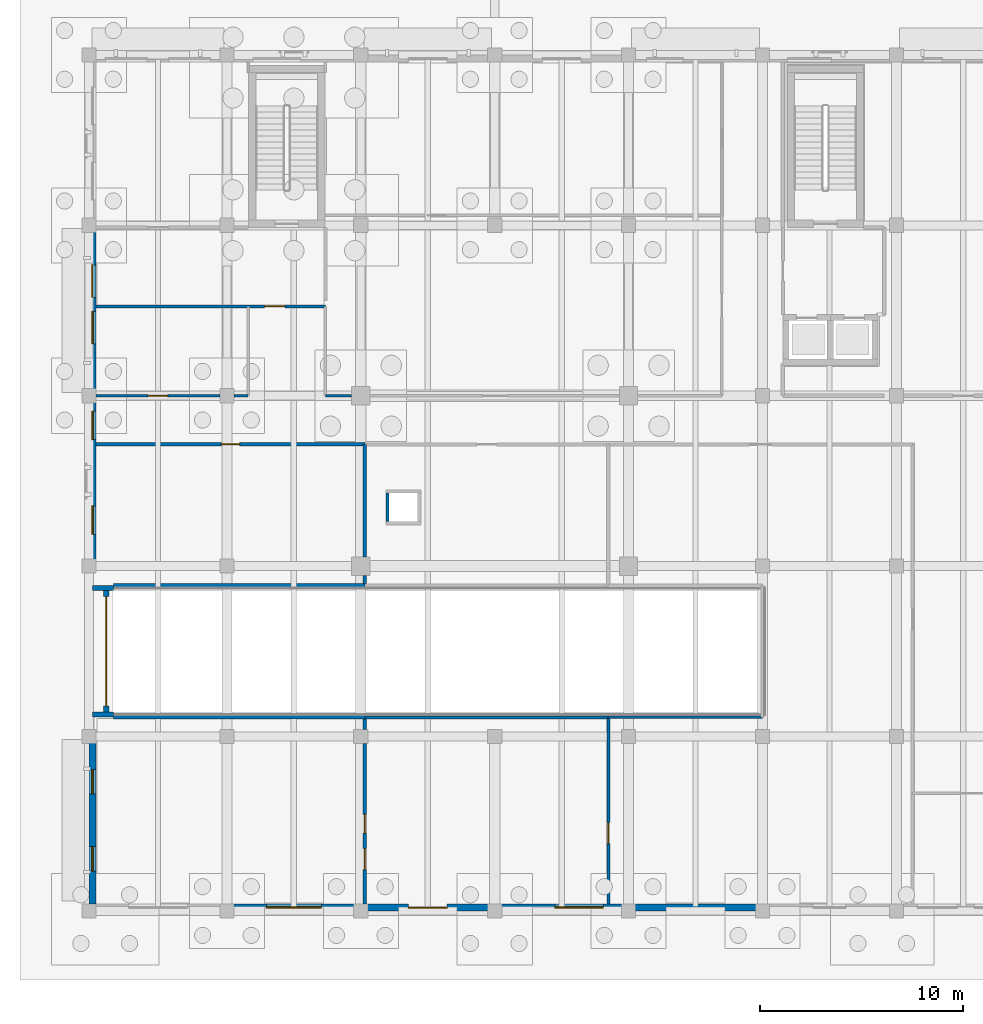
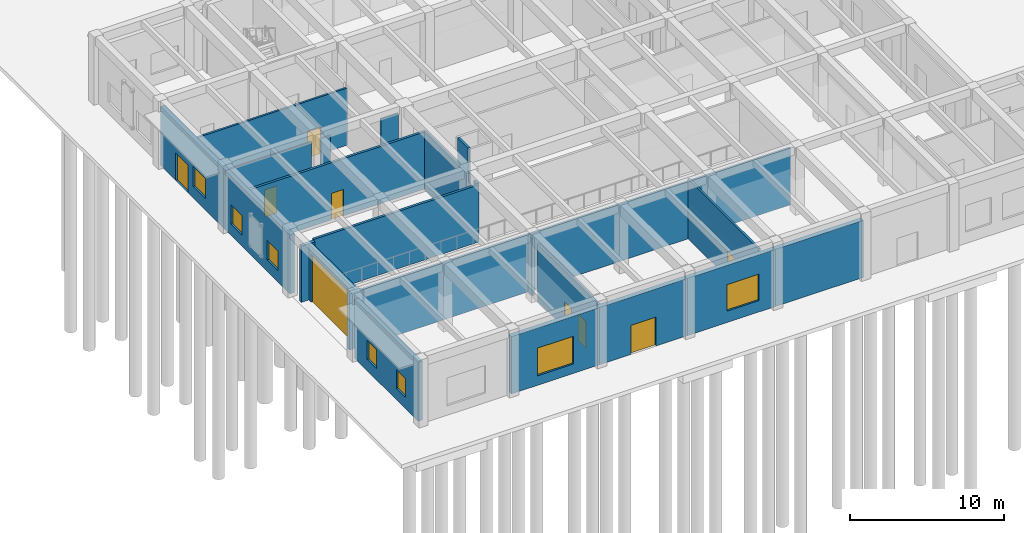
# One storey, part 48 of 82: 25 walls, 9 doors, 7 windows, 16 openings.
"""IFC4 building model written with IfcOpenShell, lengths in metres."""

from ifc_helpers import new_model, si_unit, direction, frame, frame_2d, origin, place, context, subcontext, project, spatial, rectangle, extrude, material, layer, layer_set, type_object, element, fill, save


model = new_model("IFC4")

# Units and contexts
model_context = context("Model", 3, precision=1e-05, world=origin(), true_north=direction((0.0, 1.0)))
body_context = subcontext(model_context, "Body", "Model", "MODEL_VIEW")
ifc_project = project(units=[si_unit("LENGTHUNIT", "METRE"), si_unit("AREAUNIT", "SQUARE_METRE"), si_unit("VOLUMEUNIT", "CUBIC_METRE"), si_unit("PLANEANGLEUNIT", "RADIAN"), si_unit("MASSUNIT", "GRAM", prefix="KILO")], contexts=[model_context])

# Site, building, storey
site_placement = place(None, origin())
site = spatial("IfcSite", under=ifc_project, at=site_placement, CompositionType="ELEMENT")
building_placement = place(site_placement, origin())
building = spatial("IfcBuilding", under=site, at=building_placement, Name="Kolvaren Faculty of Natural Sciences", CompositionType="ELEMENT")
storey_placement = place(building_placement, origin())
storey = spatial("IfcBuildingStorey", under=building, at=storey_placement, Name="L00", CompositionType="ELEMENT", Elevation=0.0)

# Walls
ifc_material_1 = material(Name="Acoustic mineral-wool insulated gypsum partition")
ifc_layer_1 = layer(ifc_material_1, 0.139892578125)
ifc_layer_set_1 = layer_set([ifc_layer_1], Name="Acoustic mineral-wool insulated gypsum partition")
wall_type_1 = type_object("IfcWallType", Name="CommonsPartitionWall_140", PredefinedType="PARTITIONING", material=ifc_layer_set_1)
wall_1_placement = place(storey_placement, frame((25.60009765625, 9.550048828125, 0.0), z_axis=(0.0, 0.0, 1.0), x_axis=(1.0, 0.0, 0.0)))
element("IfcWall", 1, at=wall_1_placement, inside=storey, type_object=wall_type_1, Name="L00 interior partition PW-140", PredefinedType="PARTITIONING", context=body_context, shape_type="SweptSolid", body=[
    extrude(rectangle(XDim=7.599853515625, YDim=0.139892578125, at=frame_2d((3.7998046875, 0.0))), origin(), (0.0, 0.0, 1.0), 4.534912109375),
])
ifc_layer_2 = layer(ifc_material_1, 0.14501953125)
ifc_layer_set_2 = layer_set([ifc_layer_2], Name="Acoustic mineral-wool insulated gypsum partition")
wall_type_2 = type_object("IfcWallType", Name="CommonsPartitionWall_145", PredefinedType="PARTITIONING", material=ifc_layer_set_2)
wall_2_placement = place(storey_placement, frame((13.60009765625, 9.550048828125, 0.0), z_axis=(0.0, 0.0, 1.0), x_axis=(1.0, 0.0, 0.0)))
element("IfcWall", 2, at=wall_2_placement, inside=storey, type_object=wall_type_2, Name="L00 interior partition PW-145", PredefinedType="PARTITIONING", context=body_context, shape_type="SweptSolid", body=[
    extrude(rectangle(XDim=12.0, YDim=0.14501953125, at=frame_2d((6.0, 0.0))), origin(), (0.0, 0.0, 1.0), 4.534912109375),
])

# Wall, opening, door
wall_3_placement = place(storey_placement, frame((25.60009765625, 9.550048828125, 0.0), z_axis=(0.0, 0.0, 1.0), x_axis=(0.0, -1.0, 0.0)))
wall_3 = element("IfcWall", 3, at=wall_3_placement, inside=storey, type_object=wall_type_2, Name="L00 interior partition PW-145", PredefinedType="PARTITIONING", context=body_context, shape_type="SweptSolid", body=[
    extrude(rectangle(XDim=9.2080078125, YDim=0.14501953125, at=frame_2d((4.60400390625, 0.0))), origin(), (0.0, 0.0, 1.0), 4.735107421875),
])
opening_1_placement = place(wall_3_placement, frame((5.194091796875, 0.0, 0.0)))
opening_1 = element("IfcOpeningElement", 4, at=opening_1_placement, cuts=wall_3, Name="Opening ID-15", PredefinedType="OPENING", context=body_context, shape_type="SweptSolid", body=[
    extrude(rectangle(XDim=1.030029296875, YDim=2.10009765625, at=frame_2d((0.51513671875, 1.050048828125))), frame((0.0, 0.08251953125, 0.0), z_axis=(0.0, -1.0, 0.0), x_axis=(1.0, 0.0, 0.0)), (0.0, 0.0, 1.0), 0.1650390625),
])
ifc_material_2 = material(Name="Solid-core hardwood veneer door leaf in steel frame", Category="steel")
door_type_1 = type_object("IfcDoorType", Name="InteriorRoomDoor_1030x2100", OperationType="NOTDEFINED", PredefinedType="DOOR", material=ifc_material_2)
door_1_placement = place(opening_1_placement, origin())
door_1 = element("IfcDoor", 5, at=door_1_placement, inside=storey, type_object=door_type_1, Name="D-L00-0070", OperationType="SINGLE_SWING_RIGHT", OverallHeight=2.10009765625, OverallWidth=1.030029296875, PredefinedType="DOOR", context=body_context, shape_type="SweptSolid", body=[
    extrude(rectangle(XDim=1.030029296875, YDim=2.10009765625, at=frame_2d((0.51513671875, 1.050048828125))), frame((0.0, 0.02490234375, 0.0), z_axis=(0.0, -1.0, 0.0), x_axis=(1.0, 0.0, 0.0)), (0.0, 0.0, 1.0), 0.050048828125),
])
fill(opening_1, door_1)

# Wall
ifc_material_3 = material(Name="Sandstone-faced insulated cavity masonry", Category="masonry")
ifc_layer_3 = layer(ifc_material_3, 0.340087890625)
ifc_layer_set_3 = layer_set([ifc_layer_3], Name="Sandstone-faced insulated cavity masonry")
wall_type_3 = type_object("IfcWallType", Name="ExteriorCavityWall_340", PredefinedType="STANDARD", material=ifc_layer_set_3)
wall_4_placement = place(storey_placement, frame((33.199951171875, 0.169921875, 0.0), z_axis=(0.0, 0.0, 1.0), x_axis=(-1.0, 0.0, 0.0)))
element("IfcWall", 6, at=wall_4_placement, inside=storey, type_object=wall_type_3, Name="L00 exterior masonry wall EW-340 (3)", PredefinedType="STANDARD", context=body_context, shape_type="SweptSolid", body=[
    extrude(rectangle(XDim=6.599853515625, YDim=0.340087890625, at=frame_2d((3.2998046875, 0.0))), origin(), (0.0, 0.0, 1.0), 4.534912109375),
])

# Wall, opening, window
wall_5_placement = place(storey_placement, frame((26.60009765625, 0.169921875, 0.0), z_axis=(0.0, 0.0, 1.0), x_axis=(-1.0, 0.0, 0.0)))
wall_5 = element("IfcWall", 7, at=wall_5_placement, inside=storey, type_object=wall_type_3, Name="L00 exterior masonry wall EW-340 (4)", PredefinedType="STANDARD", context=body_context, shape_type="SweptSolid", body=[
    extrude(rectangle(XDim=6.60009765625, YDim=0.340087890625, at=frame_2d((3.300048828125, 0.0))), origin(), (0.0, 0.0, 1.0), 4.534912109375),
])
opening_2_placement = place(wall_5_placement, frame((1.239990234375, 0.0, 0.89990234375)))
opening_2 = element("IfcOpeningElement", 8, at=opening_2_placement, cuts=wall_5, Name="Opening WIN-09", PredefinedType="OPENING", context=body_context, shape_type="SweptSolid", body=[
    extrude(rectangle(XDim=2.39990234375, YDim=2.10009765625, at=frame_2d((1.199951171875, 1.050048828125))), frame((0.0, 0.179931640625, 0.0), z_axis=(0.0, -1.0, 0.0), x_axis=(1.0, 0.0, 0.0)), (0.0, 0.0, 1.0), 0.360107421875),
])
ifc_material_4 = material(Name="Double low-E solar control insulated glazing", Category="glass")
window_type_1 = type_object("IfcWindowType", Name="AluWindow_WIN09_2400x2100", PartitioningType="SINGLE_PANEL", PredefinedType="WINDOW", material=ifc_material_4)
window_1_placement = place(opening_2_placement, origin())
window_1 = element("IfcWindow", 9, at=window_1_placement, inside=storey, type_object=window_type_1, Name="WIN-L00-0015", OverallHeight=2.10009765625, OverallWidth=2.39990234375, PartitioningType="SINGLE_PANEL", PredefinedType="WINDOW", context=body_context, shape_type="SweptSolid", body=[
    extrude(rectangle(XDim=2.39990234375, YDim=2.10009765625, at=frame_2d((1.199951171875, 1.050048828125))), frame((0.0, 0.030029296875, 0.0), z_axis=(0.0, -1.0, 0.0), x_axis=(1.0, 0.0, 0.0)), (0.0, 0.0, 1.0), 0.06005859375),
])
fill(opening_2, window_1)

# Wall, opening, door
wall_6_placement = place(storey_placement, frame((20.0, 0.169921875, 0.0), z_axis=(0.0, 0.0, 1.0), x_axis=(-1.0, 0.0, 0.0)))
wall_6 = element("IfcWall", 10, at=wall_6_placement, inside=storey, type_object=wall_type_3, Name="L00 exterior masonry wall EW-340 (5)", PredefinedType="STANDARD", context=body_context, shape_type="SweptSolid", body=[
    extrude(rectangle(XDim=6.60009765625, YDim=0.340087890625, at=frame_2d((3.300048828125, 0.0))), origin(), (0.0, 0.0, 1.0), 4.534912109375),
])
opening_3_placement = place(wall_6_placement, frame((2.35009765625, 0.0, 0.0)))
opening_3 = element("IfcOpeningElement", 11, at=opening_3_placement, cuts=wall_6, Name="Opening ED-02", PredefinedType="OPENING", context=body_context, shape_type="SweptSolid", body=[
    extrude(rectangle(XDim=1.89990234375, YDim=2.300048828125, at=frame_2d((0.949951171875, 1.14990234375))), frame((0.0, 0.179931640625, 0.0), z_axis=(0.0, -1.0, 0.0), x_axis=(1.0, 0.0, 0.0)), (0.0, 0.0, 1.0), 0.360107421875),
])
ifc_material_5 = material(Name="Thermally broken anodised aluminium framing", Category="aluminium")
door_type_2 = type_object("IfcDoorType", Name="PlazaExitDoubleDoor_1900x2300", OperationType="DOUBLE_DOOR_SINGLE_SWING", PredefinedType="DOOR", material=ifc_material_5)
door_2_placement = place(opening_3_placement, origin())
door_2 = element("IfcDoor", 12, at=door_2_placement, inside=storey, type_object=door_type_2, Name="D-L00-EX-18", OperationType="DOUBLE_DOOR_SINGLE_SWING", OverallHeight=2.300048828125, OverallWidth=1.89990234375, PredefinedType="DOOR", context=body_context, shape_type="SweptSolid", body=[
    extrude(rectangle(XDim=1.89990234375, YDim=2.300048828125, at=frame_2d((0.949951171875, 1.14990234375))), frame((0.0, 0.02490234375, 0.0), z_axis=(0.0, -1.0, 0.0), x_axis=(1.0, 0.0, 0.0)), (0.0, 0.0, 1.0), 0.050048828125),
])
fill(opening_3, door_2)

# Wall, opening, window
wall_7_placement = place(storey_placement, frame((13.39990234375, 0.169921875, 0.0), z_axis=(0.0, 0.0, 1.0), x_axis=(-1.0, 0.0, 0.0)))
wall_7 = element("IfcWall", 13, at=wall_7_placement, inside=storey, type_object=wall_type_3, Name="L00 exterior masonry wall EW-340 (6)", PredefinedType="STANDARD", context=body_context, shape_type="SweptSolid", body=[
    extrude(rectangle(XDim=6.599853515625, YDim=0.340087890625, at=frame_2d((3.2998046875, 0.0))), origin(), (0.0, 0.0, 1.0), 4.534912109375),
])
opening_4_placement = place(wall_7_placement, frame((1.949951171875, 0.0, 0.75)))
opening_4 = element("IfcOpeningElement", 14, at=opening_4_placement, cuts=wall_7, Name="Opening WIN-11", PredefinedType="OPENING", context=body_context, shape_type="SweptSolid", body=[
    extrude(rectangle(XDim=2.699951171875, YDim=2.199951171875, at=frame_2d((1.35009765625, 1.10009765625))), frame((0.0, 0.179931640625, 0.0), z_axis=(0.0, -1.0, 0.0), x_axis=(1.0, 0.0, 0.0)), (0.0, 0.0, 1.0), 0.360107421875),
])
window_type_2 = type_object("IfcWindowType", Name="AluWindow_WIN11_2700x2200", PartitioningType="SINGLE_PANEL", PredefinedType="WINDOW", material=ifc_material_4)
window_2_placement = place(opening_4_placement, origin())
window_2 = element("IfcWindow", 15, at=window_2_placement, inside=storey, type_object=window_type_2, Name="WIN-L00-0016", OverallHeight=2.199951171875, OverallWidth=2.699951171875, PartitioningType="SINGLE_PANEL", PredefinedType="WINDOW", context=body_context, shape_type="SweptSolid", body=[
    extrude(rectangle(XDim=2.699951171875, YDim=2.199951171875, at=frame_2d((1.35009765625, 1.10009765625))), frame((0.0, 0.030029296875, 0.0), z_axis=(0.0, -1.0, 0.0), x_axis=(1.0, 0.0, 0.0)), (0.0, 0.0, 1.0), 0.06005859375),
])
fill(opening_4, window_2)

# Wall, openings, windows
wall_8_placement = place(storey_placement, frame((0.169921875, 0.340087890625, 0.0), z_axis=(0.0, 0.0, 1.0), x_axis=(0.0, 1.0, 0.0)))
wall_8 = element("IfcWall", 16, at=wall_8_placement, inside=storey, type_object=wall_type_3, Name="L00 exterior masonry wall EW-340 (8)", PredefinedType="STANDARD", context=body_context, shape_type="SweptSolid", body=[
    extrude(rectangle(XDim=8.260009765625, YDim=0.340087890625, at=frame_2d((4.1298828125, 0.0))), origin(), (0.0, 0.0, 1.0), 4.68505859375),
])
opening_5_placement = place(wall_8_placement, frame((1.630126953125, 0.0, 0.89990234375)))
opening_5 = element("IfcOpeningElement", 17, at=opening_5_placement, cuts=wall_8, Name="Opening WIN-13", PredefinedType="OPENING", context=body_context, shape_type="SweptSolid", body=[
    extrude(rectangle(XDim=1.199951171875, YDim=1.5, at=frame_2d((0.60009765625, 0.75))), frame((0.0, 0.179931640625, 0.0), z_axis=(0.0, -1.0, 0.0), x_axis=(1.0, 0.0, 0.0)), (0.0, 0.0, 1.0), 0.360107421875),
])
opening_6_placement = place(wall_8_placement, frame((5.4296875, 0.0, 0.89990234375)))
opening_6 = element("IfcOpeningElement", 18, at=opening_6_placement, cuts=wall_8, Name="Opening WIN-13", PredefinedType="OPENING", context=body_context, shape_type="SweptSolid", body=[
    extrude(rectangle(XDim=1.199951171875, YDim=1.5, at=frame_2d((0.60009765625, 0.75))), frame((0.0, 0.179931640625, 0.0), z_axis=(0.0, -1.0, 0.0), x_axis=(1.0, 0.0, 0.0)), (0.0, 0.0, 1.0), 0.360107421875),
])
window_type_3 = type_object("IfcWindowType", Name="AluWindow_WIN13_1200x1500", PartitioningType="SINGLE_PANEL", PredefinedType="WINDOW", material=ifc_material_4)
window_3_placement = place(opening_5_placement, origin())
window_3 = element("IfcWindow", 19, at=window_3_placement, inside=storey, type_object=window_type_3, Name="WIN-L00-0018", OverallHeight=1.5, OverallWidth=1.199951171875, PartitioningType="SINGLE_PANEL", PredefinedType="WINDOW", context=body_context, shape_type="SweptSolid", body=[
    extrude(rectangle(XDim=1.199951171875, YDim=1.5, at=frame_2d((0.60009765625, 0.75))), frame((0.0, 0.030029296875, 0.0), z_axis=(0.0, -1.0, 0.0), x_axis=(1.0, 0.0, 0.0)), (0.0, 0.0, 1.0), 0.06005859375),
])
fill(opening_5, window_3)
window_4_placement = place(opening_6_placement, origin())
window_4 = element("IfcWindow", 20, at=window_4_placement, inside=storey, type_object=window_type_3, Name="WIN-L00-0019", OverallHeight=1.5, OverallWidth=1.199951171875, PartitioningType="SINGLE_PANEL", PredefinedType="WINDOW", context=body_context, shape_type="SweptSolid", body=[
    extrude(rectangle(XDim=1.199951171875, YDim=1.5, at=frame_2d((0.60009765625, 0.75))), frame((0.0, 0.030029296875, 0.0), z_axis=(0.0, -1.0, 0.0), x_axis=(1.0, 0.0, 0.0)), (0.0, 0.0, 1.0), 0.06005859375),
])
fill(opening_6, window_4)

wall_9_placement = place(storey_placement, frame((0.169921875, 17.0, 0.0), z_axis=(0.0, 0.0, 1.0), x_axis=(0.0, 1.0, 0.0)))
wall_9 = element("IfcWall", 21, at=wall_9_placement, inside=storey, type_object=wall_type_3, Name="L00 exterior masonry wall EW-340 (9)", PredefinedType="STANDARD", context=body_context, shape_type="SweptSolid", body=[
    extrude(rectangle(XDim=8.39990234375, YDim=0.340087890625, at=frame_2d((4.199951171875, 0.0))), origin(), (0.0, 0.0, 1.0), 4.68505859375),
])
opening_7_placement = place(wall_9_placement, frame((1.568115234375, 0.0, 0.89990234375)))
opening_7 = element("IfcOpeningElement", 22, at=opening_7_placement, cuts=wall_9, Name="Opening WIN-14", PredefinedType="OPENING", context=body_context, shape_type="SweptSolid", body=[
    extrude(rectangle(XDim=1.39990234375, YDim=1.550048828125, at=frame_2d((0.699951171875, 0.77490234375))), frame((0.0, 0.179931640625, 0.0), z_axis=(0.0, -1.0, 0.0), x_axis=(1.0, 0.0, 0.0)), (0.0, 0.0, 1.0), 0.360107421875),
])
opening_8_placement = place(wall_9_placement, frame((6.239990234375, 0.0, 0.89990234375)))
opening_8 = element("IfcOpeningElement", 23, at=opening_8_placement, cuts=wall_9, Name="Opening WIN-14", PredefinedType="OPENING", context=body_context, shape_type="SweptSolid", body=[
    extrude(rectangle(XDim=1.39990234375, YDim=1.550048828125, at=frame_2d((0.699951171875, 0.77490234375))), frame((0.0, 0.179931640625, 0.0), z_axis=(0.0, -1.0, 0.0), x_axis=(1.0, 0.0, 0.0)), (0.0, 0.0, 1.0), 0.360107421875),
])
window_type_4 = type_object("IfcWindowType", Name="AluWindow_WIN14_1400x1550", PartitioningType="SINGLE_PANEL", PredefinedType="WINDOW", material=ifc_material_4)
window_5_placement = place(opening_7_placement, origin())
window_5 = element("IfcWindow", 24, at=window_5_placement, inside=storey, type_object=window_type_4, Name="WIN-L00-0020", OverallHeight=1.550048828125, OverallWidth=1.39990234375, PartitioningType="SINGLE_PANEL", PredefinedType="WINDOW", context=body_context, shape_type="SweptSolid", body=[
    extrude(rectangle(XDim=1.39990234375, YDim=1.550048828125, at=frame_2d((0.699951171875, 0.77490234375))), frame((0.0, 0.030029296875, 0.0), z_axis=(0.0, -1.0, 0.0), x_axis=(1.0, 0.0, 0.0)), (0.0, 0.0, 1.0), 0.06005859375),
])
fill(opening_7, window_5)
window_6_placement = place(opening_8_placement, origin())
window_6 = element("IfcWindow", 25, at=window_6_placement, inside=storey, type_object=window_type_4, Name="WIN-L00-0021", OverallHeight=1.550048828125, OverallWidth=1.39990234375, PartitioningType="SINGLE_PANEL", PredefinedType="WINDOW", context=body_context, shape_type="SweptSolid", body=[
    extrude(rectangle(XDim=1.39990234375, YDim=1.550048828125, at=frame_2d((0.699951171875, 0.77490234375))), frame((0.0, 0.030029296875, 0.0), z_axis=(0.0, -1.0, 0.0), x_axis=(1.0, 0.0, 0.0)), (0.0, 0.0, 1.0), 0.06005859375),
])
fill(opening_8, window_6)

# Wall, openings, window, door
wall_10_placement = place(storey_placement, frame((0.169921875, 25.39990234375, 0.0), z_axis=(0.0, 0.0, 1.0), x_axis=(0.0, 1.0, 0.0)))
wall_10 = element("IfcWall", 26, at=wall_10_placement, inside=storey, type_object=wall_type_3, Name="L00 exterior masonry wall EW-340 (10)", PredefinedType="STANDARD", context=body_context, shape_type="SweptSolid", body=[
    extrude(rectangle(XDim=8.400146484375, YDim=0.340087890625, at=frame_2d((4.2001953125, 0.0))), origin(), (0.0, 0.0, 1.0), 4.68505859375),
])
opening_9_placement = place(wall_10_placement, frame((4.85009765625, 0.0, 0.0)))
opening_9 = element("IfcOpeningElement", 27, at=opening_9_placement, cuts=wall_10, Name="Opening ED-03", PredefinedType="OPENING", context=body_context, shape_type="SweptSolid", body=[
    extrude(rectangle(XDim=1.60009765625, YDim=2.199951171875, at=frame_2d((0.800048828125, 1.10009765625))), frame((0.0, 0.179931640625, 0.0), z_axis=(0.0, -1.0, 0.0), x_axis=(1.0, 0.0, 0.0)), (0.0, 0.0, 1.0), 0.360107421875),
])
opening_10_placement = place(wall_10_placement, frame((2.56005859375, 0.0, 0.89990234375)))
opening_10 = element("IfcOpeningElement", 28, at=opening_10_placement, cuts=wall_10, Name="Opening WIN-15", PredefinedType="OPENING", context=body_context, shape_type="SweptSolid", body=[
    extrude(rectangle(XDim=1.60009765625, YDim=1.60009765625, at=frame_2d((0.800048828125, 0.800048828125))), frame((0.0, 0.179931640625, 0.0), z_axis=(0.0, -1.0, 0.0), x_axis=(1.0, 0.0, 0.0)), (0.0, 0.0, 1.0), 0.360107421875),
])
window_type_5 = type_object("IfcWindowType", Name="AluWindow_WIN15_1600x1600", PartitioningType="SINGLE_PANEL", PredefinedType="WINDOW", material=ifc_material_4)
window_7_placement = place(opening_10_placement, origin())
window_7 = element("IfcWindow", 29, at=window_7_placement, inside=storey, type_object=window_type_5, Name="WIN-L00-0022", OverallHeight=1.60009765625, OverallWidth=1.60009765625, PartitioningType="SINGLE_PANEL", PredefinedType="WINDOW", context=body_context, shape_type="SweptSolid", body=[
    extrude(rectangle(XDim=1.60009765625, YDim=1.60009765625, at=frame_2d((0.800048828125, 0.800048828125))), frame((0.0, 0.030029296875, 0.0), z_axis=(0.0, -1.0, 0.0), x_axis=(1.0, 0.0, 0.0)), (0.0, 0.0, 1.0), 0.06005859375),
])
fill(opening_10, window_7)
door_type_3 = type_object("IfcDoorType", Name="FinalExitDoubleDoor_1600x2200", OperationType="DOUBLE_DOOR_SINGLE_SWING", PredefinedType="DOOR", material=ifc_material_5)
door_3_placement = place(opening_9_placement, origin())
door_3 = element("IfcDoor", 30, at=door_3_placement, inside=storey, type_object=door_type_3, Name="D-L00-EX-04", OperationType="DOUBLE_DOOR_SINGLE_SWING", OverallHeight=2.199951171875, OverallWidth=1.60009765625, PredefinedType="DOOR", context=body_context, shape_type="SweptSolid", body=[
    extrude(rectangle(XDim=1.60009765625, YDim=2.199951171875, at=frame_2d((0.800048828125, 1.10009765625))), frame((0.0, 0.02490234375, 0.0), z_axis=(0.0, -1.0, 0.0), x_axis=(1.0, 0.0, 0.0)), (0.0, 0.0, 1.0), 0.050048828125),
])
fill(opening_9, door_3)

# Wall, opening, door
ifc_material_6 = material(Name="Precast concrete C35/45", Category="concrete")
ifc_layer_4 = layer(ifc_material_6, 0.25)
ifc_layer_set_4 = layer_set([ifc_layer_4], Name="Precast concrete C35/45")
wall_type_4 = type_object("IfcWallType", Name="ExteriorTowerWall_250", PredefinedType="STANDARD", material=ifc_layer_set_4)
wall_11_placement = place(storey_placement, frame((0.85009765625, 15.919921875, 0.0), z_axis=(0.0, 0.0, 1.0), x_axis=(0.0, -1.0, 0.0)))
wall_11 = element("IfcWall", 31, at=wall_11_placement, inside=storey, type_object=wall_type_4, Name="L00 West street car-park ramp portal wall", PredefinedType="STANDARD", context=body_context, shape_type="SweptSolid", body=[
    extrude(rectangle(XDim=6.239990234375, YDim=0.25, at=frame_2d((3.1201171875, 0.0))), origin(), (0.0, 0.0, 1.0), 4.449951171875),
])
opening_11_placement = place(wall_11_placement, frame((0.419921875, 0.0, 0.0)))
opening_11 = element("IfcOpeningElement", 32, at=opening_11_placement, cuts=wall_11, Name="Opening D-VR01", PredefinedType="OPENING", context=body_context, shape_type="SweptSolid", body=[
    extrude(rectangle(XDim=5.39990234375, YDim=3.800048828125, at=frame_2d((2.699951171875, 1.89990234375))), frame((0.0, 0.135009765625, 0.0), z_axis=(0.0, -1.0, 0.0), x_axis=(1.0, 0.0, 0.0)), (0.0, 0.0, 1.0), 0.27001953125),
])
ifc_material_7 = material(Name="Structural steel EN 10025-2 S355J2", Category="steel")
door_type_4 = type_object("IfcDoorType", Name="CarParkRollerShutter_5400x3800", OperationType="ROLLINGUP", PredefinedType="GATE", material=ifc_material_7)
door_4_placement = place(opening_11_placement, origin())
door_4 = element("IfcDoor", 33, at=door_4_placement, inside=storey, type_object=door_type_4, Name="D-VR01", OperationType="ROLLINGUP", OverallHeight=3.800048828125, OverallWidth=5.39990234375, PredefinedType="GATE", context=body_context, shape_type="SweptSolid", body=[
    extrude(rectangle(XDim=5.39990234375, YDim=3.800048828125, at=frame_2d((2.699951171875, 1.89990234375))), frame((0.0, 0.02490234375, 0.0), z_axis=(0.0, -1.0, 0.0), x_axis=(1.0, 0.0, 0.0)), (0.0, 0.0, 1.0), 0.050048828125),
])
fill(opening_11, door_4)

# Walls
for number, where, z_axis, x_axis, name in (
    (34, (0.169921875, 9.679931640625, 0.0), (0.0, 0.0, 1.0), (1.0, 0.0, 0.0), "L00 West car-park ramp portal return wall S"),
    (35, (0.169921875, 15.919921875, 0.0), (0.0, 0.0, 1.0), (1.0, 0.0, 0.0), "L00 West car-park ramp portal return wall N"),
):
    element("IfcWall", number, at=place(storey_placement, frame(where, z_axis=z_axis, x_axis=x_axis)), inside=storey, type_object=wall_type_4, Name=name, PredefinedType="STANDARD", context=body_context, shape_type="SweptSolid", body=[
        extrude(rectangle(XDim=1.030029296875, YDim=0.25, at=frame_2d((0.51513671875, 0.0))), origin(), (0.0, 0.0, 1.0), 4.449951171875),
    ])
ifc_layer_5 = layer(ifc_material_1, 0.179931640625)
ifc_layer_set_5 = layer_set([ifc_layer_5], Name="Acoustic mineral-wool insulated gypsum partition")
wall_type_5 = type_object("IfcWallType", Name="LabPartitionWall_180", PredefinedType="PARTITIONING", material=ifc_layer_set_5)
wall_12_placement = place(storey_placement, frame((13.60009765625, 16.050048828125, 0.0), z_axis=(0.0, 0.0, 1.0), x_axis=(-1.0, 0.0, 0.0)))
element("IfcWall", 36, at=wall_12_placement, inside=storey, type_object=wall_type_5, Name="L00 interior partition PW-180", PredefinedType="PARTITIONING", context=body_context, shape_type="SweptSolid", body=[
    extrude(rectangle(XDim=12.400146484375, YDim=0.179931640625, at=frame_2d((6.2001953125, 0.0))), origin(), (0.0, 0.0, 1.0), 4.534912109375),
])

# Wall, opening, door
wall_13_placement = place(storey_placement, frame((0.342041015625, 23.0, 0.0), z_axis=(0.0, 0.0, 1.0), x_axis=(1.0, 0.0, 0.0)))
wall_13 = element("IfcWall", 37, at=wall_13_placement, inside=storey, type_object=wall_type_5, Name="L00 interior partition PW-180", PredefinedType="PARTITIONING", context=body_context, shape_type="SweptSolid", body=[
    extrude(rectangle(XDim=13.258056640625, YDim=0.179931640625, at=frame_2d((6.62890625, 0.0))), origin(), (0.0, 0.0, 1.0), 4.534912109375),
])
opening_12_placement = place(wall_13_placement, frame((6.178955078125, 0.0, 0.0)))
opening_12 = element("IfcOpeningElement", 38, at=opening_12_placement, cuts=wall_13, Name="Opening ID-12", PredefinedType="OPENING", context=body_context, shape_type="SweptSolid", body=[
    extrude(rectangle(XDim=0.89990234375, YDim=2.10009765625, at=frame_2d((0.449951171875, 1.050048828125))), frame((0.0, 0.099853515625, 0.0), z_axis=(0.0, -1.0, 0.0), x_axis=(1.0, 0.0, 0.0)), (0.0, 0.0, 1.0), 0.199951171875),
])
door_type_5 = type_object("IfcDoorType", Name="InteriorRoomDoor_900x2100", OperationType="NOTDEFINED", PredefinedType="DOOR", material=ifc_material_2)
door_5_placement = place(opening_12_placement, origin())
door_5 = element("IfcDoor", 39, at=door_5_placement, inside=storey, type_object=door_type_5, Name="D-L00-0067", OperationType="SINGLE_SWING_LEFT", OverallHeight=2.10009765625, OverallWidth=0.89990234375, PredefinedType="DOOR", context=body_context, shape_type="SweptSolid", body=[
    extrude(rectangle(XDim=0.89990234375, YDim=2.10009765625, at=frame_2d((0.449951171875, 1.050048828125))), frame((0.0, 0.02490234375, 0.0), z_axis=(0.0, -1.0, 0.0), x_axis=(1.0, 0.0, 0.0)), (0.0, 0.0, 1.0), 0.050048828125),
])
fill(opening_12, door_5)

# Walls
wall_14_placement = place(storey_placement, frame((13.60009765625, 23.0, 0.0), z_axis=(0.0, 0.0, 1.0), x_axis=(0.0, -1.0, 0.0)))
element("IfcWall", 40, at=wall_14_placement, inside=storey, type_object=wall_type_5, Name="L00 interior partition PW-180", PredefinedType="PARTITIONING", context=body_context, shape_type="SweptSolid", body=[
    extrude(rectangle(XDim=5.550048828125, YDim=0.179931640625, at=frame_2d((2.77490234375, 0.0))), origin(), (0.0, 0.0, 1.0), 4.534912109375),
])
wall_15_placement = place(storey_placement, frame((13.60009765625, 16.550048828125, 0.0), z_axis=(0.0, 0.0, 1.0), x_axis=(0.0, -1.0, 0.0)))
element("IfcWall", 41, at=wall_15_placement, inside=storey, type_object=wall_type_5, Name="L00 interior partition PW-180", PredefinedType="PARTITIONING", context=body_context, shape_type="SweptSolid", body=[
    extrude(rectangle(XDim=0.41015625, YDim=0.179931640625, at=frame_2d((0.205078125, 0.0))), origin(), (0.0, 0.0, 1.0), 4.534912109375),
])

# Wall, opening, door
ifc_material_8 = material(Name="Double fire-rated gypsum board on 100 mm steel stud", Category="steel")
ifc_layer_6 = layer(ifc_material_8, 0.14990234375)
ifc_layer_set_6 = layer_set([ifc_layer_6], Name="Double fire-rated gypsum board on 100 mm steel stud")
wall_type_6 = type_object("IfcWallType", Name="RatedCorridorWall_150", PredefinedType="PARTITIONING", material=ifc_layer_set_6)
wall_16_placement = place(storey_placement, frame((11.64990234375, 29.800048828125, 0.0), z_axis=(0.0, 0.0, 1.0), x_axis=(-1.0, 0.0, 0.0)))
wall_16 = element("IfcWall", 42, at=wall_16_placement, inside=storey, type_object=wall_type_6, Name="L00 interior partition LW-150", PredefinedType="PARTITIONING", context=body_context, shape_type="SweptSolid", body=[
    extrude(rectangle(XDim=11.307861328125, YDim=0.14990234375, at=frame_2d((5.65380859375, 0.0))), origin(), (0.0, 0.0, 1.0), 4.534912109375),
])
opening_13_placement = place(wall_16_placement, frame((1.98779296875, 0.0, 0.0)))
opening_13 = element("IfcOpeningElement", 43, at=opening_13_placement, cuts=wall_16, Name="Opening FD30", PredefinedType="OPENING", context=body_context, shape_type="SweptSolid", body=[
    extrude(rectangle(XDim=1.0, YDim=2.10009765625, at=frame_2d((0.5, 1.050048828125))), frame((0.0, 0.0849609375, 0.0), z_axis=(0.0, -1.0, 0.0), x_axis=(1.0, 0.0, 0.0)), (0.0, 0.0, 1.0), 0.169921875),
])
ifc_material_9 = material(Name="Fire-rated solid-core hardwood door leaf in steel frame", Category="steel")
door_type_6 = type_object("IfcDoorType", Name="CorridorFireDoor_1000x2100", OperationType="NOTDEFINED", PredefinedType="DOOR", material=ifc_material_9)
door_6_placement = place(opening_13_placement, origin())
door_6 = element("IfcDoor", 44, at=door_6_placement, inside=storey, type_object=door_type_6, Name="D-L00-0035", OperationType="SINGLE_SWING_RIGHT", OverallHeight=2.10009765625, OverallWidth=1.0, PredefinedType="DOOR", context=body_context, shape_type="SweptSolid", body=[
    extrude(rectangle(XDim=1.0, YDim=2.10009765625, at=frame_2d((0.5, 1.050048828125))), frame((0.0, 0.02490234375, 0.0), z_axis=(0.0, -1.0, 0.0), x_axis=(1.0, 0.0, 0.0)), (0.0, 0.0, 1.0), 0.050048828125),
])
fill(opening_13, door_6)

# Walls
ifc_layer_7 = layer(ifc_material_8, 0.159912109375)
ifc_layer_set_7 = layer_set([ifc_layer_7], Name="Double fire-rated gypsum board on 100 mm steel stud")
wall_type_7 = type_object("IfcWallType", Name="RiserShaftWall_160", PredefinedType="PARTITIONING", material=ifc_layer_set_7)
wall_17_placement = place(storey_placement, frame((14.719970703125, 19.199951171875, 0.0), z_axis=(0.0, 0.0, 1.0), x_axis=(0.0, 1.0, 0.0)))
element("IfcWall", 45, at=wall_17_placement, inside=storey, type_object=wall_type_7, Name="L00 service riser shaft wall W", PredefinedType="PARTITIONING", context=body_context, shape_type="SweptSolid", body=[
    extrude(rectangle(XDim=1.400146484375, YDim=0.159912109375, at=frame_2d((0.7001953125, 0.0))), origin(), (0.0, 0.0, 1.0), 5.094970703125),
])
ifc_layer_8 = layer(ifc_material_1, 0.169921875)
ifc_layer_set_8 = layer_set([ifc_layer_8], Name="Acoustic mineral-wool insulated gypsum partition")
wall_type_8 = type_object("IfcWallType", Name="SeminarPartitionWall_170", PredefinedType="PARTITIONING", material=ifc_layer_set_8)
wall_18_placement = place(storey_placement, frame((1.199951171875, 9.550048828125, 0.0), z_axis=(0.0, 0.0, 1.0), x_axis=(1.0, 0.0, 0.0)))
element("IfcWall", 46, at=wall_18_placement, inside=storey, type_object=wall_type_8, Name="L00 interior partition PW-170", PredefinedType="PARTITIONING", context=body_context, shape_type="SweptSolid", body=[
    extrude(rectangle(XDim=12.400146484375, YDim=0.169921875, at=frame_2d((6.2001953125, 0.0))), origin(), (0.0, 0.0, 1.0), 4.534912109375),
])
wall_19_placement = place(storey_placement, frame((13.60009765625, 9.465087890625, 0.0), z_axis=(0.0, 0.0, 1.0), x_axis=(0.0, -1.0, 0.0)))
element("IfcWall", 47, at=wall_19_placement, inside=storey, type_object=wall_type_8, Name="L00 interior partition PW-170", PredefinedType="PARTITIONING", context=body_context, shape_type="SweptSolid", body=[
    extrude(rectangle(XDim=0.51513671875, YDim=0.169921875, at=frame_2d((0.257568359375, 0.0))), origin(), (0.0, 0.0, 1.0), 4.534912109375),
])

# Wall, openings, doors
wall_20_placement = place(storey_placement, frame((13.60009765625, 8.25, 0.0), z_axis=(0.0, 0.0, 1.0), x_axis=(0.0, -1.0, 0.0)))
wall_20 = element("IfcWall", 48, at=wall_20_placement, inside=storey, type_object=wall_type_8, Name="L00 interior partition PW-170", PredefinedType="PARTITIONING", context=body_context, shape_type="SweptSolid", body=[
    extrude(rectangle(XDim=7.89990234375, YDim=0.169921875, at=frame_2d((3.949951171875, 0.0))), origin(), (0.0, 0.0, 1.0), 4.534912109375),
])
opening_14_placement = place(wall_20_placement, frame((3.485107421875, 0.0, 0.0)))
opening_14 = element("IfcOpeningElement", 49, at=opening_14_placement, cuts=wall_20, Name="Opening ID-13", PredefinedType="OPENING", context=body_context, shape_type="SweptSolid", body=[
    extrude(rectangle(XDim=0.929931640625, YDim=2.10009765625, at=frame_2d((0.46484375, 1.050048828125))), frame((0.0, 0.094970703125, 0.0), z_axis=(0.0, -1.0, 0.0), x_axis=(1.0, 0.0, 0.0)), (0.0, 0.0, 1.0), 0.18994140625),
])
opening_15_placement = place(wall_20_placement, frame((5.173095703125, 0.0, 0.0)))
opening_15 = element("IfcOpeningElement", 50, at=opening_15_placement, cuts=wall_20, Name="Opening ID-15", PredefinedType="OPENING", context=body_context, shape_type="SweptSolid", body=[
    extrude(rectangle(XDim=1.030029296875, YDim=2.10009765625, at=frame_2d((0.51513671875, 1.050048828125))), frame((0.0, 0.094970703125, 0.0), z_axis=(0.0, -1.0, 0.0), x_axis=(1.0, 0.0, 0.0)), (0.0, 0.0, 1.0), 0.18994140625),
])
door_7_placement = place(opening_15_placement, origin())
door_7 = element("IfcDoor", 51, at=door_7_placement, inside=storey, type_object=door_type_1, Name="D-L00-0071", OperationType="SINGLE_SWING_LEFT", OverallHeight=2.10009765625, OverallWidth=1.030029296875, PredefinedType="DOOR", context=body_context, shape_type="SweptSolid", body=[
    extrude(rectangle(XDim=1.030029296875, YDim=2.10009765625, at=frame_2d((0.51513671875, 1.050048828125))), frame((0.0, 0.02490234375, 0.0), z_axis=(0.0, -1.0, 0.0), x_axis=(1.0, 0.0, 0.0)), (0.0, 0.0, 1.0), 0.050048828125),
])
fill(opening_15, door_7)
door_type_7 = type_object("IfcDoorType", Name="InteriorRoomDoor_930x2100", OperationType="NOTDEFINED", PredefinedType="DOOR", material=ifc_material_2)
door_8_placement = place(opening_14_placement, origin())
door_8 = element("IfcDoor", 52, at=door_8_placement, inside=storey, type_object=door_type_7, Name="D-L00-0068", OperationType="SINGLE_SWING_RIGHT", OverallHeight=2.10009765625, OverallWidth=0.929931640625, PredefinedType="DOOR", context=body_context, shape_type="SweptSolid", body=[
    extrude(rectangle(XDim=0.929931640625, YDim=2.10009765625, at=frame_2d((0.46484375, 1.050048828125))), frame((0.0, 0.02490234375, 0.0), z_axis=(0.0, -1.0, 0.0), x_axis=(1.0, 0.0, 0.0)), (0.0, 0.0, 1.0), 0.050048828125),
])
fill(opening_14, door_8)

# Walls
ifc_layer_9 = layer(ifc_material_1, 0.1201171875)
ifc_layer_set_9 = layer_set([ifc_layer_9], Name="Acoustic mineral-wool insulated gypsum partition")
wall_type_9 = type_object("IfcWallType", Name="StudioPartitionWall_120", PredefinedType="PARTITIONING", material=ifc_layer_set_9)
wall_21_placement = place(storey_placement, frame((12.949951171875, 25.39990234375, 0.0), z_axis=(0.0, 0.0, 1.0), x_axis=(-1.0, 0.0, 0.0)))
element("IfcWall", 53, at=wall_21_placement, inside=storey, type_object=wall_type_9, Name="L00 interior partition PW-120", PredefinedType="PARTITIONING", context=body_context, shape_type="SweptSolid", body=[
    extrude(rectangle(XDim=1.300048828125, YDim=0.1201171875, at=frame_2d((0.64990234375, 0.0))), origin(), (0.0, 0.0, 1.0), 4.735107421875),
])
ifc_layer_10 = layer(ifc_material_1, 0.10498046875)
ifc_layer_set_10 = layer_set([ifc_layer_10], Name="Acoustic mineral-wool insulated gypsum partition")
wall_type_10 = type_object("IfcWallType", Name="WetRoomPartition_105", PredefinedType="PARTITIONING", material=ifc_layer_set_10)
wall_22_placement = place(storey_placement, frame((7.85009765625, 25.39990234375, 0.0), z_axis=(0.0, 0.0, 1.0), x_axis=(-1.0, 0.0, 0.0)))
element("IfcWall", 54, at=wall_22_placement, inside=storey, type_object=wall_type_10, Name="L00 interior partition PW-105", PredefinedType="PARTITIONING", context=body_context, shape_type="SweptSolid", body=[
    extrude(rectangle(XDim=0.7001953125, YDim=0.10498046875, at=frame_2d((0.35009765625, 0.0))), origin(), (0.0, 0.0, 1.0), 4.735107421875),
])

# Wall, opening, door
wall_23_placement = place(storey_placement, frame((6.449951171875, 25.39990234375, 0.0), z_axis=(0.0, 0.0, 1.0), x_axis=(-1.0, 0.0, 0.0)))
wall_23 = element("IfcWall", 55, at=wall_23_placement, inside=storey, type_object=wall_type_10, Name="L00 interior partition PW-105", PredefinedType="PARTITIONING", context=body_context, shape_type="SweptSolid", body=[
    extrude(rectangle(XDim=6.099853515625, YDim=0.10498046875, at=frame_2d((3.0498046875, 0.0))), origin(), (0.0, 0.0, 1.0), 4.735107421875),
])
opening_16_placement = place(wall_23_placement, frame((2.570068359375, 0.0, 0.0)))
opening_16 = element("IfcOpeningElement", 56, at=opening_16_placement, cuts=wall_23, Name="Opening ID-20", PredefinedType="OPENING", context=body_context, shape_type="SweptSolid", body=[
    extrude(rectangle(XDim=0.9599609375, YDim=2.139892578125, at=frame_2d((0.47998046875, 1.06982421875))), frame((0.0, 0.0625, 0.0), z_axis=(0.0, -1.0, 0.0), x_axis=(1.0, 0.0, 0.0)), (0.0, 0.0, 1.0), 0.125),
])
door_type_8 = type_object("IfcDoorType", Name="InteriorRoomDoor_960x2140", OperationType="NOTDEFINED", PredefinedType="DOOR", material=ifc_material_2)
door_9_placement = place(opening_16_placement, origin())
door_9 = element("IfcDoor", 57, at=door_9_placement, inside=storey, type_object=door_type_8, Name="D-L00-0079", OperationType="SINGLE_SWING_LEFT", OverallHeight=2.139892578125, OverallWidth=0.9599609375, PredefinedType="DOOR", context=body_context, shape_type="SweptSolid", body=[
    extrude(rectangle(XDim=0.9599609375, YDim=2.139892578125, at=frame_2d((0.47998046875, 1.06982421875))), frame((0.0, 0.02490234375, 0.0), z_axis=(0.0, -1.0, 0.0), x_axis=(1.0, 0.0, 0.0)), (0.0, 0.0, 1.0), 0.050048828125),
])
fill(opening_16, door_9)

save(model, "model.ifc")
